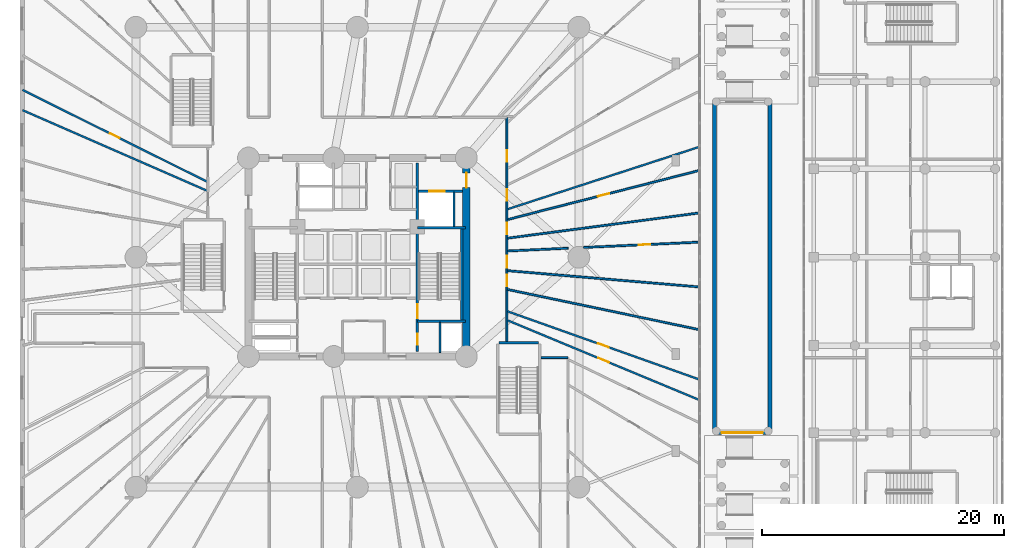
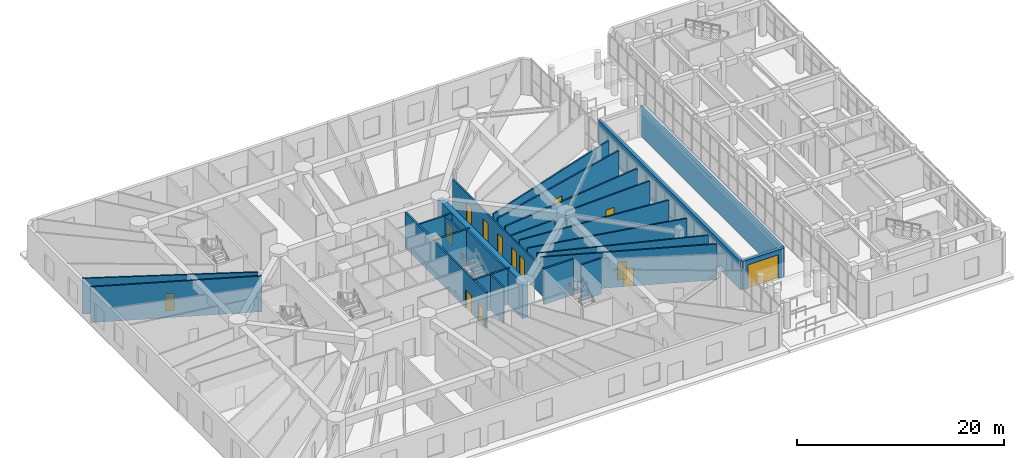
# One storey, part 17 of 30: 25 walls, 15 doors, 15 openings.
"""IFC4 building model written with IfcOpenShell, lengths in metres."""

from ifc_helpers import new_model, si_unit, direction, frame, frame_2d, origin, origin_with_axes, place, context, subcontext, project, spatial, rectangle, extrude, source, transform, mapped, material, layer, layer_set, type_object, element, fill, save


model = new_model("IFC4")

# Units and contexts
model_context = context("Model", 3, precision=1e-05, world=origin(), true_north=direction((0.0, 1.0)))
body_context = subcontext(model_context, "Body", "Model", "MODEL_VIEW")
ifc_project = project(units=[si_unit("LENGTHUNIT", "METRE"), si_unit("AREAUNIT", "SQUARE_METRE"), si_unit("VOLUMEUNIT", "CUBIC_METRE"), si_unit("PLANEANGLEUNIT", "RADIAN"), si_unit("MASSUNIT", "GRAM", prefix="KILO")], contexts=[model_context])

# Site, building, storey
site_placement = place(None, origin())
site = spatial("IfcSite", under=ifc_project, at=site_placement, CompositionType="ELEMENT")
building_placement = place(site_placement, origin())
building = spatial("IfcBuilding", under=site, at=building_placement, Name="Karkom Vertical University and Central Library", CompositionType="ELEMENT")
storey_placement = place(building_placement, origin())
storey = spatial("IfcBuildingStorey", under=building, at=storey_placement, Name="L00", CompositionType="ELEMENT", Elevation=0.0)

# Wall, opening, door
ifc_material_1 = material(Name="Brick-faced precast concrete C45/55", Category="masonry")
ifc_layer_1 = layer(ifc_material_1, 0.320068359375)
ifc_layer_set_1 = layer_set([ifc_layer_1], Name="Brick-faced precast concrete C45/55")
wall_type_1 = type_object("IfcWallType", Name="ENV-WL-BRK-320", PredefinedType="SOLIDWALL", material=ifc_layer_set_1)
wall_1_placement = place(storey_placement, frame((62.60009765625, 12.0, 0.0), z_axis=(0.0, 0.0, 1.0), x_axis=(-1.0, 0.0, 0.0)))
wall_1 = element("IfcWall", 1, at=wall_1_placement, inside=storey, type_object=wall_type_1, Name="Level 00 Car Park Ramp Pavilion South Portal Wall", PredefinedType="SOLIDWALL", context=body_context, shape_type="SweptSolid", body=[
    extrude(rectangle(XDim=4.60009765625, YDim=0.320068359375, at=frame_2d((2.300048828125, 0.0))), origin(), (0.0, 0.0, 1.0), 3.360107421875),
])
opening_1_placement = place(wall_1_placement, frame((0.60009765625, 0.0, 0.0)))
opening_1 = element("IfcOpeningElement", 2, at=opening_1_placement, cuts=wall_1, Name="Opening VG-1", PredefinedType="OPENING", context=body_context, shape_type="SweptSolid", body=[
    extrude(rectangle(XDim=3.39990234375, YDim=2.800048828125, at=frame_2d((1.699951171875, 1.39990234375))), frame((0.0, 0.169921875, 0.0), z_axis=(0.0, -1.0, 0.0), x_axis=(1.0, 0.0, 0.0)), (0.0, 0.0, 1.0), 0.340087890625),
])
ifc_material_2 = material(Name="Galvanised steel acoustic roller shutter", Category="steel")
door_type_1 = type_object("IfcDoorType", Name="ENV-DR-VG1", OperationType="ROLLINGUP", PredefinedType="GATE", material=ifc_material_2)
shared_shape_1 = source(origin_with_axes(), body_context, "Body", "SweptSolid", [
    extrude(rectangle(XDim=3.39990234375, YDim=2.800048828125, at=frame_2d((1.699951171875, 1.39990234375))), frame((0.0, 0.02490234375, 0.0), z_axis=(0.0, -1.0, 0.0), x_axis=(1.0, 0.0, 0.0)), (0.0, 0.0, 1.0), 0.050048828125),
])
door_1_placement = place(opening_1_placement, origin())
door_1 = element("IfcDoor", 3, at=door_1_placement, inside=storey, type_object=door_type_1, Name="Level 00 Car Park Ramp Roller Shutter Gate VG-1", OperationType="ROLLINGUP", OverallHeight=2.800048828125, OverallWidth=3.39990234375, PredefinedType="GATE", context=body_context, shape_type="MappedRepresentation", body=[
    mapped(shared_shape_1, transform((0.0, 0.0, 0.0), scale=1.0)),
])
fill(opening_1, door_1)

# Walls
for number, where, z_axis, x_axis, name in (
    (4, (58.0, 12.0, 0.0), (0.0, 0.0, 1.0), (0.0, 1.0, 0.0), "Level 00 Car Park Ramp Pavilion Wall W"),
    (5, (62.60009765625, 39.5, 0.0), (0.0, 0.0, 1.0), (0.0, -1.0, 0.0), "Level 00 Car Park Ramp Pavilion Wall E"),
):
    element("IfcWall", number, at=place(storey_placement, frame(where, z_axis=z_axis, x_axis=x_axis)), inside=storey, type_object=wall_type_1, Name=name, PredefinedType="SOLIDWALL", context=body_context, shape_type="SweptSolid", body=[
        extrude(rectangle(XDim=27.5, YDim=0.320068359375, at=frame_2d((13.75, 0.0))), origin(), (0.0, 0.0, 1.0), 3.360107421875),
    ])

# Wall, opening, door
ifc_material_3 = material(Name="Insulated metal-stud drywall 160mm", Category="gypsum")
ifc_layer_2 = layer(ifc_material_3, 0.159912109375)
ifc_layer_set_2 = layer_set([ifc_layer_2], Name="Insulated metal-stud drywall 160mm")
wall_type_2 = type_object("IfcWallType", Name="INT-WL-COR-160", PredefinedType="PARTITIONING", material=ifc_layer_set_2)
wall_2_placement = place(storey_placement, frame((40.931884765625, 21.273681640625, 0.0), z_axis=(0.0, 0.0, 1.0), x_axis=(0.923573591062, -0.383421206889, 0.0)))
wall_2 = element("IfcWall", 6, at=wall_2_placement, inside=storey, type_object=wall_type_2, Name="Level 00 Interior Partition Wall L00-PODW-22-23-1", PredefinedType="PARTITIONING", context=body_context, shape_type="SweptSolid", body=[
    extrude(rectangle(XDim=17.148681640625, YDim=0.159912109375, at=frame_2d((8.57421875, 0.0))), origin(), (0.0, 0.0, 1.0), 4.199951171875),
])
opening_2_placement = place(wall_2_placement, frame((8.081787109375, 0.0, 0.0)))
opening_2 = element("IfcOpeningElement", 7, at=opening_2_placement, cuts=wall_2, Name="Opening FD-RM2", PredefinedType="OPENING", context=body_context, shape_type="SweptSolid", body=[
    extrude(rectangle(XDim=0.9599609375, YDim=2.14990234375, at=frame_2d((0.47998046875, 1.074951171875))), frame((0.0, 0.08984375, 0.0), z_axis=(0.0, -1.0, 0.0), x_axis=(1.0, 0.0, 0.0)), (0.0, 0.0, 1.0), 0.179931640625),
])
ifc_material_4 = material(Name="Fire-rated oak veneer door", Category="wood")
door_type_2 = type_object("IfcDoorType", Name="INT-DR-FRM2", OperationType="NOTDEFINED", PredefinedType="DOOR", material=ifc_material_4)
shared_shape_2 = source(origin_with_axes(), body_context, "Body", "SweptSolid", [
    extrude(rectangle(XDim=0.9599609375, YDim=2.14990234375, at=frame_2d((0.47998046875, 1.074951171875))), frame((0.0, 0.02490234375, 0.0), z_axis=(0.0, -1.0, 0.0), x_axis=(1.0, 0.0, 0.0)), (0.0, 0.0, 1.0), 0.050048828125),
])
door_2_placement = place(opening_2_placement, origin())
door_2 = element("IfcDoor", 8, at=door_2_placement, inside=storey, type_object=door_type_2, Name="Level 00 Room Entry Door 822", OperationType="SINGLE_SWING_LEFT", OverallHeight=2.14990234375, OverallWidth=0.9599609375, PredefinedType="DOOR", context=body_context, shape_type="MappedRepresentation", body=[
    mapped(shared_shape_2, transform((0.0, 0.0, 0.0), scale=1.0)),
])
fill(opening_2, door_2)

wall_3_placement = place(storey_placement, frame((16.068115234375, 32.74658203125, 0.0), z_axis=(0.0, 0.0, 1.0), x_axis=(-0.895480769827, 0.44510020318, 0.0)))
wall_3 = element("IfcWall", 9, at=wall_3_placement, inside=storey, type_object=wall_type_2, Name="Level 00 Interior Partition Wall L00-PODW-46-47-1", PredefinedType="PARTITIONING", context=body_context, shape_type="SweptSolid", body=[
    extrude(rectangle(XDim=17.0146484375, YDim=0.159912109375, at=frame_2d((8.50732421875, 0.0))), origin(), (0.0, 0.0, 1.0), 4.199951171875),
])
opening_3_placement = place(wall_3_placement, frame((8.077392578125, 0.0, 0.0)))
opening_3 = element("IfcOpeningElement", 10, at=opening_3_placement, cuts=wall_3, Name="Opening FD-BTH2", PredefinedType="OPENING", context=body_context, shape_type="SweptSolid", body=[
    extrude(rectangle(XDim=0.860107421875, YDim=2.0400390625, at=frame_2d((0.43017578125, 1.02001953125))), frame((0.0, 0.08984375, 0.0), z_axis=(0.0, -1.0, 0.0), x_axis=(1.0, 0.0, 0.0)), (0.0, 0.0, 1.0), 0.179931640625),
])
ifc_material_5 = material(Name="Fire-rated moisture-resistant oak door", Category="wood")
door_type_3 = type_object("IfcDoorType", Name="INT-DR-FBTH2", OperationType="NOTDEFINED", PredefinedType="DOOR", material=ifc_material_5)
shared_shape_3 = source(origin_with_axes(), body_context, "Body", "SweptSolid", [
    extrude(rectangle(XDim=0.860107421875, YDim=2.0400390625, at=frame_2d((0.43017578125, 1.02001953125))), frame((0.0, 0.02490234375, 0.0), z_axis=(0.0, -1.0, 0.0), x_axis=(1.0, 0.0, 0.0)), (0.0, 0.0, 1.0), 0.050048828125),
])
door_3_placement = place(opening_3_placement, origin())
door_3 = element("IfcDoor", 11, at=door_3_placement, inside=storey, type_object=door_type_3, Name="Level 00 Audio-Visual Equipment Loan Store Entry Door", OperationType="SINGLE_SWING_RIGHT", OverallHeight=2.0400390625, OverallWidth=0.860107421875, PredefinedType="DOOR", context=body_context, shape_type="MappedRepresentation", body=[
    mapped(shared_shape_3, transform((0.0, 0.0, 0.0), scale=1.0)),
])
fill(opening_3, door_3)

wall_4_placement = place(storey_placement, frame((40.91796875, 22.023681640625, 0.0), z_axis=(0.0, 0.0, 1.0), x_axis=(0.942274220907, -0.334842190613, 0.0)))
wall_4 = element("IfcWall", 12, at=wall_4_placement, inside=storey, type_object=wall_type_2, Name="Level 00 Interior Partition Wall L00-PODW-23-24-1", PredefinedType="PARTITIONING", context=body_context, shape_type="SweptSolid", body=[
    extrude(rectangle(XDim=16.824462890625, YDim=0.159912109375, at=frame_2d((8.412109375, 0.0))), origin(), (0.0, 0.0, 1.0), 4.199951171875),
])
opening_4_placement = place(wall_4_placement, frame((7.912353515625, 0.0, 0.0)))
opening_4 = element("IfcOpeningElement", 13, at=opening_4_placement, cuts=wall_4, Name="Opening FD-RM2", PredefinedType="OPENING", context=body_context, shape_type="SweptSolid", body=[
    extrude(rectangle(XDim=0.9599609375, YDim=2.14990234375, at=frame_2d((0.47998046875, 1.074951171875))), frame((0.0, 0.08984375, 0.0), z_axis=(0.0, -1.0, 0.0), x_axis=(1.0, 0.0, 0.0)), (0.0, 0.0, 1.0), 0.179931640625),
])
door_4_placement = place(opening_4_placement, origin())
door_4 = element("IfcDoor", 14, at=door_4_placement, inside=storey, type_object=door_type_2, Name="Level 00 Room Entry Door 823", OperationType="SINGLE_SWING_RIGHT", OverallHeight=2.14990234375, OverallWidth=0.9599609375, PredefinedType="DOOR", context=body_context, shape_type="MappedRepresentation", body=[
    mapped(shared_shape_2, transform((0.0, 0.0, 0.0), scale=1.0)),
])
fill(opening_4, door_4)

# Walls
wall_5_placement = place(storey_placement, frame((40.931884765625, 30.476318359375, 0.0), z_axis=(0.0, 0.0, 1.0), x_axis=(0.951055611127, 0.309019780181, 0.0)))
element("IfcWall", 15, at=wall_5_placement, inside=storey, type_object=wall_type_2, Name="Level 00 Interior Partition Wall L00-PODW-29-30-1", PredefinedType="PARTITIONING", context=body_context, shape_type="SweptSolid", body=[
    extrude(rectangle(XDim=16.655029296875, YDim=0.159912109375, at=frame_2d((8.32763671875, 0.0))), origin(), (0.0, 0.0, 1.0), 3.699951171875),
])
wall_6_placement = place(storey_placement, frame((16.068115234375, 31.99560546875, 0.0), z_axis=(0.0, 0.0, 1.0), x_axis=(-0.916400464202, 0.400262650281, 0.0)))
element("IfcWall", 16, at=wall_6_placement, inside=storey, type_object=wall_type_2, Name="Level 00 Interior Partition Wall L00-PODW-47-48-1", PredefinedType="PARTITIONING", context=body_context, shape_type="SweptSolid", body=[
    extrude(rectangle(XDim=16.6279296875, YDim=0.159912109375, at=frame_2d((8.31396484375, 0.0))), origin(), (0.0, 0.0, 1.0), 4.199951171875),
])

# Wall, opening, door
wall_7_placement = place(storey_placement, frame((40.931884765625, 29.619873046875, 0.0), z_axis=(0.0, 0.0, 1.0), x_axis=(0.968775770521, 0.247938513451, 0.0)))
wall_7 = element("IfcWall", 17, at=wall_7_placement, inside=storey, type_object=wall_type_2, Name="Level 00 Interior Partition Wall L00-PODW-28-29-1", PredefinedType="PARTITIONING", context=body_context, shape_type="SweptSolid", body=[
    extrude(rectangle(XDim=16.3515625, YDim=0.159912109375, at=frame_2d((8.17578125, 0.0))), origin(), (0.0, 0.0, 1.0), 3.699951171875),
])
opening_5_placement = place(wall_7_placement, frame((7.683349609375, 0.0, 0.0)))
opening_5 = element("IfcOpeningElement", 18, at=opening_5_placement, cuts=wall_7, Name="Opening FD-RM2", PredefinedType="OPENING", context=body_context, shape_type="SweptSolid", body=[
    extrude(rectangle(XDim=0.9599609375, YDim=2.14990234375, at=frame_2d((0.47998046875, 1.074951171875))), frame((0.0, 0.08984375, 0.0), z_axis=(0.0, -1.0, 0.0), x_axis=(1.0, 0.0, 0.0)), (0.0, 0.0, 1.0), 0.179931640625),
])
door_5_placement = place(opening_5_placement, origin())
door_5 = element("IfcDoor", 19, at=door_5_placement, inside=storey, type_object=door_type_2, Name="Level 00 Room Entry Door 828", OperationType="SINGLE_SWING_LEFT", OverallHeight=2.14990234375, OverallWidth=0.9599609375, PredefinedType="DOOR", context=body_context, shape_type="MappedRepresentation", body=[
    mapped(shared_shape_2, transform((0.0, 0.0, 0.0), scale=1.0)),
])
fill(opening_5, door_5)

# Walls
wall_8_placement = place(storey_placement, frame((40.917236328125, 23.835205078125, 0.0), z_axis=(0.0, 0.0, 1.0), x_axis=(0.978723393047, -0.205184112209, 0.0)))
element("IfcWall", 20, at=wall_8_placement, inside=storey, type_object=wall_type_2, Name="Level 00 Interior Partition Wall L00-PODW-24-25-1", PredefinedType="PARTITIONING", context=body_context, shape_type="SweptSolid", body=[
    extrude(rectangle(XDim=16.201171875, YDim=0.159912109375, at=frame_2d((8.1005859375, 0.0))), origin(), (0.0, 0.0, 1.0), 3.699951171875),
])
wall_9_placement = place(storey_placement, frame((40.9169921875, 28.07421875, 0.0), z_axis=(0.0, 0.0, 1.0), x_axis=(0.991445045126, 0.130524796478, 0.0)))
element("IfcWall", 21, at=wall_9_placement, inside=storey, type_object=wall_type_2, Name="Level 00 Interior Partition Wall L00-PODW-27-28-1", PredefinedType="PARTITIONING", context=body_context, shape_type="SweptSolid", body=[
    extrude(rectangle(XDim=15.994140625, YDim=0.159912109375, at=frame_2d((7.9970703125, 0.0))), origin(), (0.0, 0.0, 1.0), 3.699951171875),
])
wall_10_placement = place(storey_placement, frame((40.9169921875, 25.385986328125, 0.0), z_axis=(0.0, 0.0, 1.0), x_axis=(0.996417423624, -0.084571377535, 0.0)))
element("IfcWall", 22, at=wall_10_placement, inside=storey, type_object=wall_type_2, Name="Level 00 Interior Partition Wall L00-PODW-25-26-1", PredefinedType="PARTITIONING", context=body_context, shape_type="SweptSolid", body=[
    extrude(rectangle(XDim=15.9150390625, YDim=0.159912109375, at=frame_2d((7.95751953125, 0.0))), origin(), (0.0, 0.0, 1.0), 3.699951171875),
])

# Wall, opening, door
wall_11_placement = place(storey_placement, frame((47.18017578125, 27.30419921875, 0.0), z_axis=(0.0, 0.0, 1.0), x_axis=(0.998931741593, 0.04621012484, 0.0)))
wall_11 = element("IfcWall", 23, at=wall_11_placement, inside=storey, type_object=wall_type_2, Name="Level 00 Interior Partition Wall L00-PODW-26-27-1", PredefinedType="PARTITIONING", context=body_context, shape_type="SweptSolid", body=[
    extrude(rectangle(XDim=9.60498046875, YDim=0.159912109375, at=frame_2d((4.802490234375, 0.0))), origin(), (0.0, 0.0, 1.0), 3.699951171875),
])
opening_6_placement = place(wall_11_placement, frame((4.565185546875, 0.0, 0.0)))
opening_6 = element("IfcOpeningElement", 24, at=opening_6_placement, cuts=wall_11, Name="Opening FD-RM2", PredefinedType="OPENING", context=body_context, shape_type="SweptSolid", body=[
    extrude(rectangle(XDim=0.9599609375, YDim=2.14990234375, at=frame_2d((0.47998046875, 1.074951171875))), frame((0.0, 0.08984375, 0.0), z_axis=(0.0, -1.0, 0.0), x_axis=(1.0, 0.0, 0.0)), (0.0, 0.0, 1.0), 0.179931640625),
])
door_6_placement = place(opening_6_placement, origin())
door_6 = element("IfcDoor", 25, at=door_6_placement, inside=storey, type_object=door_type_2, Name="Level 00 Room Entry Door 826", OperationType="SINGLE_SWING_LEFT", OverallHeight=2.14990234375, OverallWidth=0.9599609375, PredefinedType="DOOR", context=body_context, shape_type="MappedRepresentation", body=[
    mapped(shared_shape_2, transform((0.0, 0.0, 0.0), scale=1.0)),
])
fill(opening_6, door_6)

# Wall
wall_12_placement = place(storey_placement, frame((40.9169921875, 27.014404296875, 0.0), z_axis=(0.0, 0.0, 1.0), x_axis=(0.998931863104, 0.046207498044, 0.0)))
element("IfcWall", 26, at=wall_12_placement, inside=storey, type_object=wall_type_2, Name="Level 00 Interior Partition Wall L00-PODW-26-27-2", PredefinedType="PARTITIONING", context=body_context, shape_type="SweptSolid", body=[
    extrude(rectangle(XDim=4.998291015625, YDim=0.159912109375, at=frame_2d((2.4990234375, 0.0))), origin(), (0.0, 0.0, 1.0), 3.25),
])

# Wall, openings, doors
ifc_layer_3 = layer(ifc_material_3, 0.159912109375)
ifc_layer_set_3 = layer_set([ifc_layer_3], Name="Insulated metal-stud drywall 160mm")
wall_type_3 = type_object("IfcWallType", Name="INT-WL-COR-160F", PredefinedType="PARTITIONING", material=ifc_layer_set_3)
wall_13_placement = place(storey_placement, frame((40.85009765625, 38.050048828125, 0.0), z_axis=(0.0, 0.0, 1.0), x_axis=(0.0, -1.0, 0.0)))
wall_13 = element("IfcWall", 27, at=wall_13_placement, inside=storey, type_object=wall_type_3, Name="Level 00 Interior Partition Wall L00-PDCW-CW-009", PredefinedType="PARTITIONING", context=body_context, shape_type="SweptSolid", body=[
    extrude(rectangle(XDim=18.508056640625, YDim=0.159912109375, at=frame_2d((9.25390625, 0.0))), origin(), (0.0, 0.0, 1.0), 3.25),
])
opening_7_placement = place(wall_13_placement, frame((12.989990234375, 0.0, 0.0)))
opening_7 = element("IfcOpeningElement", 28, at=opening_7_placement, cuts=wall_13, Name="Opening FD-RM2", PredefinedType="OPENING", context=body_context, shape_type="SweptSolid", body=[
    extrude(rectangle(XDim=0.9599609375, YDim=2.14990234375, at=frame_2d((0.47998046875, 1.074951171875))), frame((0.0, 0.08984375, 0.0), z_axis=(0.0, -1.0, 0.0), x_axis=(1.0, 0.0, 0.0)), (0.0, 0.0, 1.0), 0.179931640625),
])
opening_8_placement = place(wall_13_placement, frame((11.446044921875, 0.0, 0.0)))
opening_8 = element("IfcOpeningElement", 29, at=opening_8_placement, cuts=wall_13, Name="Opening FD-RM2", PredefinedType="OPENING", context=body_context, shape_type="SweptSolid", body=[
    extrude(rectangle(XDim=0.9599609375, YDim=2.14990234375, at=frame_2d((0.47998046875, 1.074951171875))), frame((0.0, 0.08984375, 0.0), z_axis=(0.0, -1.0, 0.0), x_axis=(1.0, 0.0, 0.0)), (0.0, 0.0, 1.0), 0.179931640625),
])
opening_9_placement = place(wall_13_placement, frame((8.695068359375, 0.0, 0.0)))
opening_9 = element("IfcOpeningElement", 30, at=opening_9_placement, cuts=wall_13, Name="Opening FD-RM2", PredefinedType="OPENING", context=body_context, shape_type="SweptSolid", body=[
    extrude(rectangle(XDim=0.9599609375, YDim=2.14990234375, at=frame_2d((0.47998046875, 1.074951171875))), frame((0.0, 0.08984375, 0.0), z_axis=(0.0, -1.0, 0.0), x_axis=(1.0, 0.0, 0.0)), (0.0, 0.0, 1.0), 0.179931640625),
])
opening_10_placement = place(wall_13_placement, frame((5.944091796875, 0.0, 0.0)))
opening_10 = element("IfcOpeningElement", 31, at=opening_10_placement, cuts=wall_13, Name="Opening FD-RM2", PredefinedType="OPENING", context=body_context, shape_type="SweptSolid", body=[
    extrude(rectangle(XDim=0.9599609375, YDim=2.14990234375, at=frame_2d((0.47998046875, 1.074951171875))), frame((0.0, 0.08984375, 0.0), z_axis=(0.0, -1.0, 0.0), x_axis=(1.0, 0.0, 0.0)), (0.0, 0.0, 1.0), 0.179931640625),
])
opening_11_placement = place(wall_13_placement, frame((2.719970703125, 0.0, 0.0)))
opening_11 = element("IfcOpeningElement", 32, at=opening_11_placement, cuts=wall_13, Name="Opening FD-RM2", PredefinedType="OPENING", context=body_context, shape_type="SweptSolid", body=[
    extrude(rectangle(XDim=0.9599609375, YDim=2.14990234375, at=frame_2d((0.47998046875, 1.074951171875))), frame((0.0, 0.08984375, 0.0), z_axis=(0.0, -1.0, 0.0), x_axis=(1.0, 0.0, 0.0)), (0.0, 0.0, 1.0), 0.179931640625),
])
door_7_placement = place(opening_7_placement, origin())
door_7 = element("IfcDoor", 33, at=door_7_placement, inside=storey, type_object=door_type_2, Name="Level 00 Room Entry Door 824", OperationType="SINGLE_SWING_LEFT", OverallHeight=2.14990234375, OverallWidth=0.9599609375, PredefinedType="DOOR", context=body_context, shape_type="MappedRepresentation", body=[
    mapped(shared_shape_2, transform((0.0, 0.0, 0.0), scale=1.0)),
])
fill(opening_7, door_7)
door_8_placement = place(opening_8_placement, origin())
door_8 = element("IfcDoor", 34, at=door_8_placement, inside=storey, type_object=door_type_2, Name="Level 00 Room Entry Door 825", OperationType="SINGLE_SWING_RIGHT", OverallHeight=2.14990234375, OverallWidth=0.9599609375, PredefinedType="DOOR", context=body_context, shape_type="MappedRepresentation", body=[
    mapped(shared_shape_2, transform((0.0, 0.0, 0.0), scale=1.0)),
])
fill(opening_8, door_8)
door_9_placement = place(opening_9_placement, origin())
door_9 = element("IfcDoor", 35, at=door_9_placement, inside=storey, type_object=door_type_2, Name="Level 00 Room Entry Door 827", OperationType="SINGLE_SWING_RIGHT", OverallHeight=2.14990234375, OverallWidth=0.9599609375, PredefinedType="DOOR", context=body_context, shape_type="MappedRepresentation", body=[
    mapped(shared_shape_2, transform((0.0, 0.0, 0.0), scale=1.0)),
])
fill(opening_9, door_9)
door_10_placement = place(opening_10_placement, origin())
door_10 = element("IfcDoor", 36, at=door_10_placement, inside=storey, type_object=door_type_2, Name="Level 00 Room Entry Door 829", OperationType="SINGLE_SWING_RIGHT", OverallHeight=2.14990234375, OverallWidth=0.9599609375, PredefinedType="DOOR", context=body_context, shape_type="MappedRepresentation", body=[
    mapped(shared_shape_2, transform((0.0, 0.0, 0.0), scale=1.0)),
])
fill(opening_10, door_10)
door_11_placement = place(opening_11_placement, origin())
door_11 = element("IfcDoor", 37, at=door_11_placement, inside=storey, type_object=door_type_2, Name="Level 00 Room Entry Door 830", OperationType="SINGLE_SWING_LEFT", OverallHeight=2.14990234375, OverallWidth=0.9599609375, PredefinedType="DOOR", context=body_context, shape_type="MappedRepresentation", body=[
    mapped(shared_shape_2, transform((0.0, 0.0, 0.0), scale=1.0)),
])
fill(opening_11, door_11)

# Walls
wall_14_placement = place(storey_placement, frame((43.672119140625, 18.199951171875, 0.0), z_axis=(0.0, 0.0, 1.0), x_axis=(1.0, 0.0, 0.0)))
element("IfcWall", 38, at=wall_14_placement, inside=storey, type_object=wall_type_3, Name="Level 00 Interior Partition Wall L00-PDCW-CW-021", PredefinedType="PARTITIONING", context=body_context, shape_type="SweptSolid", body=[
    extrude(rectangle(XDim=2.227783203125, YDim=0.159912109375, at=frame_2d((1.11376953125, 0.0))), origin(), (0.0, 0.0, 1.0), 4.199951171875),
])
ifc_material_6 = material(Name="Metal-stud gypsum partition 140mm", Category="gypsum")
ifc_layer_4 = layer(ifc_material_6, 0.139892578125)
ifc_layer_set_4 = layer_set([ifc_layer_4], Name="Metal-stud gypsum partition 140mm")
wall_type_4 = type_object("IfcWallType", Name="INT-WL-SUB-140H", PredefinedType="PARTITIONING", material=ifc_layer_set_4)
wall_15_placement = place(storey_placement, frame((35.320068359375, 18.60693359375, 0.0), z_axis=(0.0, 0.0, 1.0), x_axis=(0.0, 1.0, 0.0)))
element("IfcWall", 39, at=wall_15_placement, inside=storey, type_object=wall_type_4, Name="Level 00 Interior Partition Wall L00-CW-RIS-E", PredefinedType="PARTITIONING", context=body_context, shape_type="SweptSolid", body=[
    extrude(rectangle(XDim=2.502685546875, YDim=0.139892578125, at=frame_2d((1.25146484375, 0.0))), origin(), (0.0, 0.0, 1.0), 4.199951171875),
])

# Wall, opening, door
ifc_material_7 = material(Name="Twin-stud acoustic drywall 180mm", Category="gypsum")
ifc_layer_5 = layer(ifc_material_7, 0.179931640625)
ifc_layer_set_5 = layer_set([ifc_layer_5], Name="Twin-stud acoustic drywall 180mm")
wall_type_5 = type_object("IfcWallType", Name="INT-WL-TEN-180F", PredefinedType="PARTITIONING", material=ifc_layer_set_5)
wall_16_placement = place(storey_placement, frame((33.534912109375, 31.949951171875, 0.0), z_axis=(0.0, 0.0, 1.0), x_axis=(1.0, 0.0, 0.0)))
wall_16 = element("IfcWall", 40, at=wall_16_placement, inside=storey, type_object=wall_type_5, Name="Level 00 Interior Partition Wall L00-CW-SVL-N", PredefinedType="PARTITIONING", context=body_context, shape_type="SweptSolid", body=[
    extrude(rectangle(XDim=3.658447265625, YDim=0.179931640625, at=frame_2d((1.8291015625, 0.0))), origin(), (0.0, 0.0, 1.0), 4.199951171875),
])
opening_12_placement = place(wall_16_placement, frame((0.89990234375, 0.0, 0.0)))
opening_12 = element("IfcOpeningElement", 41, at=opening_12_placement, cuts=wall_16, Name="Opening LD-SV1", PredefinedType="OPENING", context=body_context, shape_type="SweptSolid", body=[
    extrude(rectangle(XDim=1.300048828125, YDim=2.199951171875, at=frame_2d((0.64990234375, 1.10009765625))), frame((0.0, 0.10009765625, 0.0), z_axis=(0.0, -1.0, 0.0), x_axis=(1.0, 0.0, 0.0)), (0.0, 0.0, 1.0), 0.199951171875),
])
ifc_material_8 = material(Name="Brushed stainless-steel landing door", Category="steel")
door_type_4 = type_object("IfcDoorType", Name="INT-DR-LD-SV1", OperationType="SLIDING_TO_LEFT", PredefinedType="DOOR", material=ifc_material_8)
shared_shape_4 = source(origin_with_axes(), body_context, "Body", "SweptSolid", [
    extrude(rectangle(XDim=1.300048828125, YDim=2.199951171875, at=frame_2d((0.64990234375, 1.10009765625))), frame((0.0, 0.02490234375, 0.0), z_axis=(0.0, -1.0, 0.0), x_axis=(1.0, 0.0, 0.0)), (0.0, 0.0, 1.0), 0.050048828125),
])
door_12_placement = place(opening_12_placement, origin())
door_12 = element("IfcDoor", 42, at=door_12_placement, inside=storey, type_object=door_type_4, Name="Level 00 Service Lift Landing Door LD-SV1", OperationType="SLIDING_TO_LEFT", OverallHeight=2.199951171875, OverallWidth=1.300048828125, PredefinedType="DOOR", context=body_context, shape_type="MappedRepresentation", body=[
    mapped(shared_shape_4, transform((0.0, 0.0, 0.0), scale=1.0)),
])
fill(opening_12, door_12)

ifc_material_9 = material(Name="Concrete C50/60", Category="concrete")
ifc_layer_6 = layer(ifc_material_9, 0.60009765625)
ifc_layer_set_6 = layer_set([ifc_layer_6], Name="Concrete C50/60")
wall_type_6 = type_object("IfcWallType", Name="STR-WL-CW-600", PredefinedType="SHEAR", material=ifc_layer_set_6)
wall_17_placement = place(storey_placement, frame((37.5, 18.300048828125, 0.0), z_axis=(0.0, 0.0, 1.0), x_axis=(0.0, 1.0, 0.0)))
wall_17 = element("IfcWall", 43, at=wall_17_placement, inside=storey, type_object=wall_type_6, Name="Level 00 Central Core Shear Wall EW", PredefinedType="SHEAR", context=body_context, shape_type="SweptSolid", body=[
    extrude(rectangle(XDim=16.39990234375, YDim=0.60009765625, at=frame_2d((8.199951171875, 0.0))), origin(), (0.0, 0.0, 1.0), 4.199951171875),
])
opening_13_placement = place(wall_17_placement, frame((13.9599609375, 0.0, 0.0)))
opening_13 = element("IfcOpeningElement", 44, at=opening_13_placement, cuts=wall_17, Name="Opening FD-SUB1", PredefinedType="OPENING", context=body_context, shape_type="SweptSolid", body=[
    extrude(rectangle(XDim=1.199951171875, YDim=2.14990234375, at=frame_2d((0.60009765625, 1.074951171875))), frame((0.0, 0.31005859375, 0.0), z_axis=(0.0, -1.0, 0.0), x_axis=(1.0, 0.0, 0.0)), (0.0, 0.0, 1.0), 0.6201171875),
])
ifc_material_10 = material(Name="Painted steel fire door", Category="steel")
door_type_5 = type_object("IfcDoorType", Name="INT-DR-SUB1", OperationType="NOTDEFINED", PredefinedType="DOOR", material=ifc_material_10)
shared_shape_5 = source(origin_with_axes(), body_context, "Body", "SweptSolid", [
    extrude(rectangle(XDim=1.199951171875, YDim=2.14990234375, at=frame_2d((0.60009765625, 1.074951171875))), frame((0.0, 0.02490234375, 0.0), z_axis=(0.0, -1.0, 0.0), x_axis=(1.0, 0.0, 0.0)), (0.0, 0.0, 1.0), 0.050048828125),
])
door_13_placement = place(opening_13_placement, origin())
door_13 = element("IfcDoor", 45, at=door_13_placement, inside=storey, type_object=door_type_5, Name="Level 00 East Corridor Service Lobby Door", OperationType="SINGLE_SWING_RIGHT", OverallHeight=2.14990234375, OverallWidth=1.199951171875, PredefinedType="DOOR", context=body_context, shape_type="MappedRepresentation", body=[
    mapped(shared_shape_5, transform((0.0, 0.0, 0.0), scale=1.0)),
])
fill(opening_13, door_13)

# Wall, openings, doors
ifc_material_11 = material(Name="Concrete C45/55", Category="concrete")
ifc_layer_7 = layer(ifc_material_11, 0.199951171875)
ifc_layer_set_7 = layer_set([ifc_layer_7], Name="Concrete C45/55")
wall_type_7 = type_object("IfcWallType", Name="STR-WL-ST-200", PredefinedType="SHEAR", material=ifc_layer_set_7)
wall_18_placement = place(storey_placement, frame((33.455078125, 18.699951171875, 0.0), z_axis=(0.0, 0.0, 1.0), x_axis=(0.0, 1.0, 0.0)))
wall_18 = element("IfcWall", 46, at=wall_18_placement, inside=storey, type_object=wall_type_7, Name="Level 00 Core Shaft Wall L00-CW-ST2-W", PredefinedType="SHEAR", context=body_context, shape_type="SweptSolid", body=[
    extrude(rectangle(XDim=15.60009765625, YDim=0.199951171875, at=frame_2d((7.800048828125, 0.0))), origin(), (0.0, 0.0, 1.0), 4.199951171875),
])
opening_14_placement = place(wall_18_placement, frame((2.75, 0.0, 0.0)))
opening_14 = element("IfcOpeningElement", 47, at=opening_14_placement, cuts=wall_18, Name="Opening FD-ST1", PredefinedType="OPENING", context=body_context, shape_type="SweptSolid", body=[
    extrude(rectangle(XDim=1.14990234375, YDim=2.14990234375, at=frame_2d((0.574951171875, 1.074951171875))), frame((0.0, 0.10986328125, 0.0), z_axis=(0.0, -1.0, 0.0), x_axis=(1.0, 0.0, 0.0)), (0.0, 0.0, 1.0), 0.219970703125),
])
opening_15_placement = place(wall_18_placement, frame((0.550048828125, 0.0, 0.0)))
opening_15 = element("IfcOpeningElement", 48, at=opening_15_placement, cuts=wall_18, Name="Opening D-WC1", PredefinedType="OPENING", context=body_context, shape_type="SweptSolid", body=[
    extrude(rectangle(XDim=0.93994140625, YDim=2.10009765625, at=frame_2d((0.469970703125, 1.050048828125))), frame((0.0, 0.10986328125, 0.0), z_axis=(0.0, -1.0, 0.0), x_axis=(1.0, 0.0, 0.0)), (0.0, 0.0, 1.0), 0.219970703125),
])
ifc_material_12 = material(Name="Painted steel acoustic fire door", Category="steel")
door_type_6 = type_object("IfcDoorType", Name="INT-DR-ST1", OperationType="NOTDEFINED", PredefinedType="DOOR", material=ifc_material_12)
shared_shape_6 = source(origin_with_axes(), body_context, "Body", "SweptSolid", [
    extrude(rectangle(XDim=1.14990234375, YDim=2.14990234375, at=frame_2d((0.574951171875, 1.074951171875))), frame((0.0, 0.02490234375, 0.0), z_axis=(0.0, -1.0, 0.0), x_axis=(1.0, 0.0, 0.0)), (0.0, 0.0, 1.0), 0.050048828125),
])
door_14_placement = place(opening_14_placement, origin())
door_14 = element("IfcDoor", 49, at=door_14_placement, inside=storey, type_object=door_type_6, Name="Level 00 Stair ST-2 Fire Door", OperationType="SINGLE_SWING_LEFT", OverallHeight=2.14990234375, OverallWidth=1.14990234375, PredefinedType="DOOR", context=body_context, shape_type="MappedRepresentation", body=[
    mapped(shared_shape_6, transform((0.0, 0.0, 0.0), scale=1.0)),
])
fill(opening_14, door_14)
ifc_material_13 = material(Name="Fire-rated laminate moisture-resistant door", Category="wood")
door_type_7 = type_object("IfcDoorType", Name="INT-DR-WC1", OperationType="NOTDEFINED", PredefinedType="DOOR", material=ifc_material_13)
shared_shape_7 = source(origin_with_axes(), body_context, "Body", "SweptSolid", [
    extrude(rectangle(XDim=0.93994140625, YDim=2.10009765625, at=frame_2d((0.469970703125, 1.050048828125))), frame((0.0, 0.02490234375, 0.0), z_axis=(0.0, -1.0, 0.0), x_axis=(1.0, 0.0, 0.0)), (0.0, 0.0, 1.0), 0.050048828125),
])
door_15_placement = place(opening_15_placement, origin())
door_15 = element("IfcDoor", 50, at=door_15_placement, inside=storey, type_object=door_type_7, Name="Level 00 Accessible WC Door", OperationType="SINGLE_SWING_RIGHT", OverallHeight=2.10009765625, OverallWidth=0.93994140625, PredefinedType="DOOR", context=body_context, shape_type="MappedRepresentation", body=[
    mapped(shared_shape_7, transform((0.0, 0.0, 0.0), scale=1.0)),
])
fill(opening_15, door_15)

# Walls
wall_19_placement = place(storey_placement, frame((37.125, 21.320068359375, 0.0), z_axis=(0.0, 0.0, 1.0), x_axis=(0.0, 1.0, 0.0)))
element("IfcWall", 51, at=wall_19_placement, inside=storey, type_object=wall_type_7, Name="Level 00 Core Shaft Wall L00-CW-ST2-E", PredefinedType="SHEAR", context=body_context, shape_type="SweptSolid", body=[
    extrude(rectangle(XDim=7.5, YDim=0.199951171875, at=frame_2d((3.75, 0.0))), origin(), (0.0, 0.0, 1.0), 4.199951171875),
])
for number, where, z_axis, x_axis, name in (
    (52, (33.455078125, 21.215087890625, 0.0), (0.0, 0.0, 1.0), (1.0, 0.0, 0.0), "Level 00 Core Shaft Wall L00-CW-ST2-S"),
    (53, (33.455078125, 28.925048828125, 0.0), (0.0, 0.0, 1.0), (1.0, 0.0, 0.0), "Level 00 Core Shaft Wall L00-CW-ST2-N"),
):
    element("IfcWall", number, at=place(storey_placement, frame(where, z_axis=z_axis, x_axis=x_axis)), inside=storey, type_object=wall_type_7, Name=name, PredefinedType="SHEAR", context=body_context, shape_type="SweptSolid", body=[
        extrude(rectangle(XDim=3.994873046875, YDim=0.199951171875, at=frame_2d((1.99755859375, 0.0))), origin(), (0.0, 0.0, 1.0), 4.199951171875),
    ])
wall_20_placement = place(storey_placement, frame((40.199951171875, 19.43505859375, 0.0), z_axis=(0.0, 0.0, 1.0), x_axis=(1.0, 0.0, 0.0)))
element("IfcWall", 54, at=wall_20_placement, inside=storey, type_object=wall_type_7, Name="Level 00 Core Shaft Wall L00-W-POD1-N", PredefinedType="SHEAR", context=body_context, shape_type="SweptSolid", body=[
    extrude(rectangle(XDim=3.260009765625, YDim=0.199951171875, at=frame_2d((1.6298828125, 0.0))), origin(), (0.0, 0.0, 1.0), 4.199951171875),
])
wall_21_placement = place(storey_placement, frame((36.47998046875, 29.02001953125, 0.0), z_axis=(0.0, 0.0, 1.0), x_axis=(0.0, 1.0, 0.0)))
element("IfcWall", 55, at=wall_21_placement, inside=storey, type_object=wall_type_7, Name="Level 00 Core Shaft Wall L00-CW-SVL-E", PredefinedType="SHEAR", context=body_context, shape_type="SweptSolid", body=[
    extrude(rectangle(XDim=2.85986328125, YDim=0.199951171875, at=frame_2d((1.429931640625, 0.0))), origin(), (0.0, 0.0, 1.0), 4.199951171875),
])

save(model, "model.ifc")
